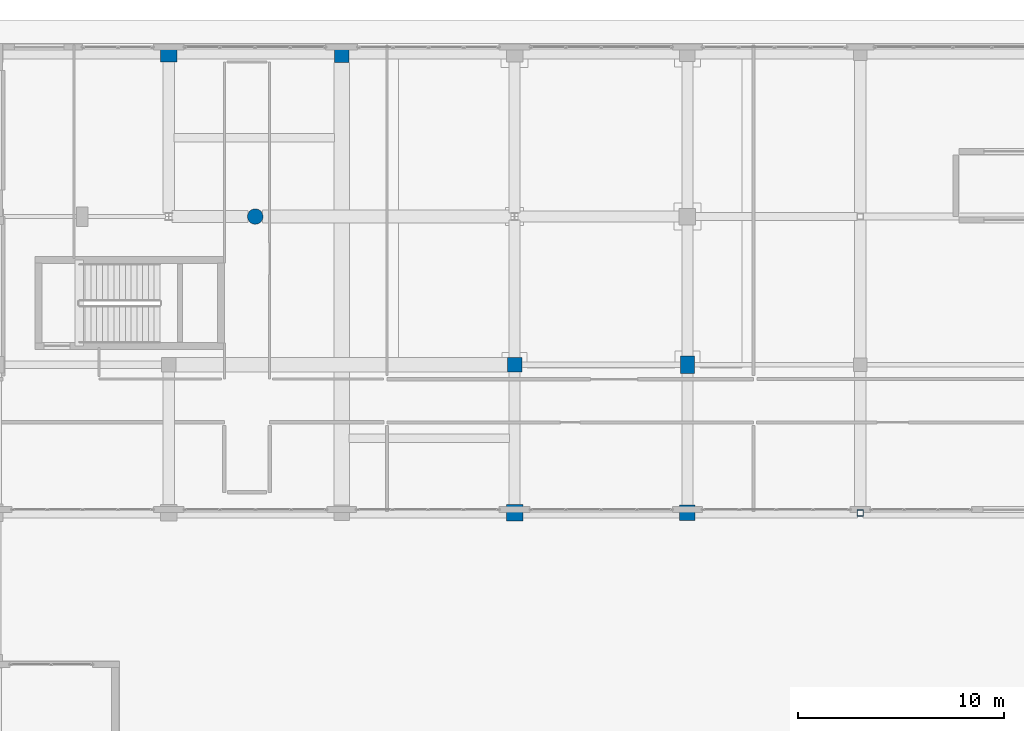
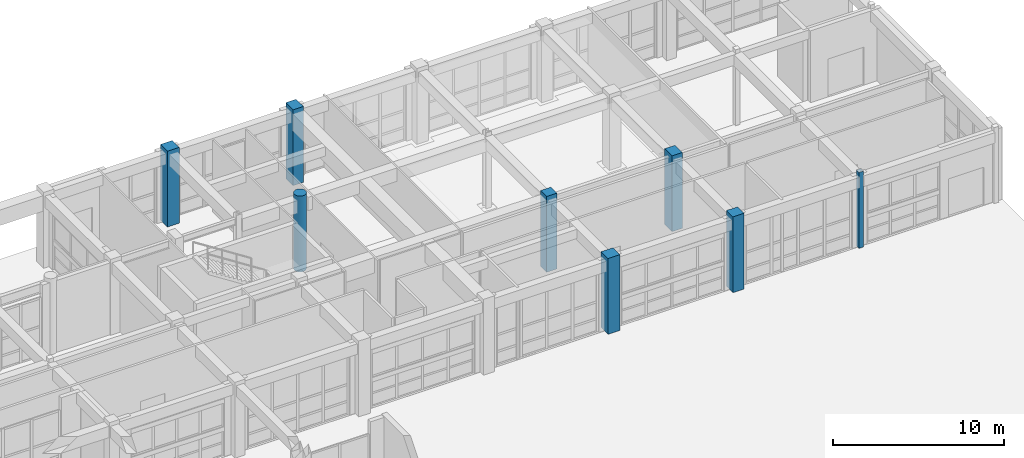
# One storey, part 13 of 148: 8 columns.
"""IFC4 building model written with IfcOpenShell, lengths in metres."""

from ifc_helpers import new_model, si_unit, direction, frame, origin, origin_2d, place, context, subcontext, project, spatial, rectangle, hollow_rectangle, circle, extrude, material, material_profile, profile_set, type_object, element, save


model = new_model("IFC4")

# Units and contexts
model_context = context("Model", 3, precision=1e-05, world=origin(), true_north=direction((0.0, 1.0)))
body_context = subcontext(model_context, "Body", "Model", "MODEL_VIEW")
ifc_project = project(units=[si_unit("LENGTHUNIT", "METRE"), si_unit("AREAUNIT", "SQUARE_METRE"), si_unit("VOLUMEUNIT", "CUBIC_METRE"), si_unit("PLANEANGLEUNIT", "RADIAN"), si_unit("MASSUNIT", "GRAM", prefix="KILO")], contexts=[model_context])

# Site, building, storey
site_placement = place(None, origin())
site = spatial("IfcSite", under=ifc_project, at=site_placement, CompositionType="ELEMENT")
building_placement = place(site_placement, origin())
building = spatial("IfcBuilding", under=site, at=building_placement, Name="Quendrovan Civic Courthouse", CompositionType="ELEMENT")
storey_placement = place(building_placement, origin())
storey = spatial("IfcBuildingStorey", under=building, at=storey_placement, Name="L01", CompositionType="ELEMENT", Elevation=0.0)

# Columns
ifc_material_1 = material(Name="Precast concrete C45/55", Category="concrete")
ifc_material_profile_1 = material_profile(ifc_material_1, circle(Radius=0.375, at=origin_2d()), Name="RC-ARCADE-D750")
ifc_profile_set_1 = profile_set([ifc_material_profile_1], Name="Precast concrete C45/55")
column_type_1 = type_object("IfcColumnType", Name="COL-ARC750", PredefinedType="PILASTER", material=ifc_profile_set_1)
column_1_placement = place(storey_placement, frame((121.800048828125, 102.0, 0.0), z_axis=(0.0, 0.0, 1.0), x_axis=(1.0, 0.0, 0.0)))
element("IfcColumn", 1, at=column_1_placement, inside=storey, type_object=column_type_1, Name="L01 Column PIL-N6", PredefinedType="PILASTER", context=body_context, shape_type="SweptSolid", body=[
    extrude(circle(Radius=0.375, at=origin_2d()), origin(), (0.0, 0.0, 1.0), 5.39990234375),
])
ifc_material_2 = material(Name="Concrete C40/50", Category="concrete")
ifc_material_profile_2 = material_profile(ifc_material_2, rectangle(XDim=0.699951171875, YDim=0.85009765625, at=origin_2d()), Name="RC-COL-700x850")
ifc_profile_set_2 = profile_set([ifc_material_profile_2], Name="Concrete C40/50")
column_type_2 = type_object("IfcColumnType", Name="COL-RC-700x850", PredefinedType="COLUMN", material=ifc_profile_set_2)
for number, where, z_axis, x_axis, name in (
    (2, (126.0, 109.89990234375, 0.0), (0.0, 0.0, 1.0), (1.0, 0.0, 0.0), "L01 Column 16-Q"),
    (3, (142.800048828125, 94.800048828125, 0.0), (0.0, 0.0, 1.0), (1.0, 0.0, 0.0), "L01 Column 18-N"),
):
    element("IfcColumn", number, at=place(storey_placement, frame(where, z_axis=z_axis, x_axis=x_axis)), inside=storey, type_object=column_type_2, Name=name, PredefinedType="COLUMN", context=body_context, shape_type="SweptSolid", body=[
        extrude(rectangle(XDim=0.699951171875, YDim=0.85009765625, at=origin_2d()), origin(), (0.0, 0.0, 1.0), 5.39990234375),
    ])
ifc_material_3 = material(Name="Concrete C45/55", Category="concrete")
ifc_material_profile_3 = material_profile(ifc_material_3, rectangle(XDim=0.699951171875, YDim=0.699951171875, at=origin_2d()), Name="RC-COL-700x700")
ifc_profile_set_3 = profile_set([ifc_material_profile_3], Name="Concrete C45/55")
column_type_3 = type_object("IfcColumnType", Name="COL-RC700", PredefinedType="COLUMN", material=ifc_profile_set_3)
column_2_placement = place(storey_placement, frame((134.39990234375, 94.800048828125, 0.0), z_axis=(0.0, 0.0, 1.0), x_axis=(1.0, 0.0, 0.0)))
element("IfcColumn", 4, at=column_2_placement, inside=storey, type_object=column_type_3, Name="L01 Column 17-N", PredefinedType="COLUMN", context=body_context, shape_type="SweptSolid", body=[
    extrude(rectangle(XDim=0.699951171875, YDim=0.699951171875, at=origin_2d()), origin(), (0.0, 0.0, 1.0), 5.39990234375),
])
ifc_material_profile_4 = material_profile(ifc_material_3, rectangle(XDim=0.75, YDim=0.75, at=origin_2d()), Name="RC-COL-750x750")
ifc_profile_set_4 = profile_set([ifc_material_profile_4], Name="Concrete C45/55")
column_type_4 = type_object("IfcColumnType", Name="COL-RC750", PredefinedType="COLUMN", material=ifc_profile_set_4)
column_3_placement = place(storey_placement, frame((142.800048828125, 87.60009765625, 0.0), z_axis=(0.0, 0.0, 1.0), x_axis=(1.0, 0.0, 0.0)))
element("IfcColumn", 5, at=column_3_placement, inside=storey, type_object=column_type_4, Name="L01 Column 18-M", PredefinedType="COLUMN", context=body_context, shape_type="SweptSolid", body=[
    extrude(rectangle(XDim=0.75, YDim=0.75, at=origin_2d()), origin(), (0.0, 0.0, 1.0), 5.39990234375),
])
ifc_material_profile_5 = material_profile(ifc_material_3, rectangle(XDim=0.800048828125, YDim=0.800048828125, at=origin_2d()), Name="RC-COL-800x800")
ifc_profile_set_5 = profile_set([ifc_material_profile_5], Name="Concrete C45/55")
column_type_5 = type_object("IfcColumnType", Name="COL-RC800", PredefinedType="COLUMN", material=ifc_profile_set_5)
for number, where, z_axis, x_axis, name in (
    (6, (117.60009765625, 109.89990234375, 0.0), (0.0, 0.0, 1.0), (1.0, 0.0, 0.0), "L01 Column 15-Q"),
    (7, (134.39990234375, 87.60009765625, 0.0), (0.0, 0.0, 1.0), (1.0, 0.0, 0.0), "L01 Column 17-M"),
):
    element("IfcColumn", number, at=place(storey_placement, frame(where, z_axis=z_axis, x_axis=x_axis)), inside=storey, type_object=column_type_5, Name=name, PredefinedType="COLUMN", context=body_context, shape_type="SweptSolid", body=[
        extrude(rectangle(XDim=0.800048828125, YDim=0.800048828125, at=origin_2d()), origin(), (0.0, 0.0, 1.0), 5.39990234375),
    ])
ifc_material_4 = material(Name="Steel ASTM A500 Grade C", Category="steel")
ifc_material_profile_6 = material_profile(ifc_material_4, hollow_rectangle(XDim=0.300048828125, YDim=0.300048828125, WallThickness=0.011962890625, at=origin_2d()), Name="HSS300x300x12")
ifc_profile_set_6 = profile_set([ifc_material_profile_6], Name="Steel ASTM A500 Grade C")
column_type_6 = type_object("IfcColumnType", Name="COL-STL-HSS300S", PredefinedType="COLUMN", material=ifc_profile_set_6)
column_4_placement = place(storey_placement, frame((151.199951171875, 87.60009765625, 0.0), z_axis=(0.0, 0.0, 1.0), x_axis=(1.0, 0.0, 0.0)))
element("IfcColumn", 8, at=column_4_placement, inside=storey, type_object=column_type_6, Name="L01 Column 19-M", PredefinedType="COLUMN", context=body_context, shape_type="SweptSolid", body=[
    extrude(hollow_rectangle(XDim=0.300048828125, YDim=0.300048828125, WallThickness=0.011962890625, at=origin_2d()), origin(), (0.0, 0.0, 1.0), 5.39990234375),
])

save(model, "model.ifc")
